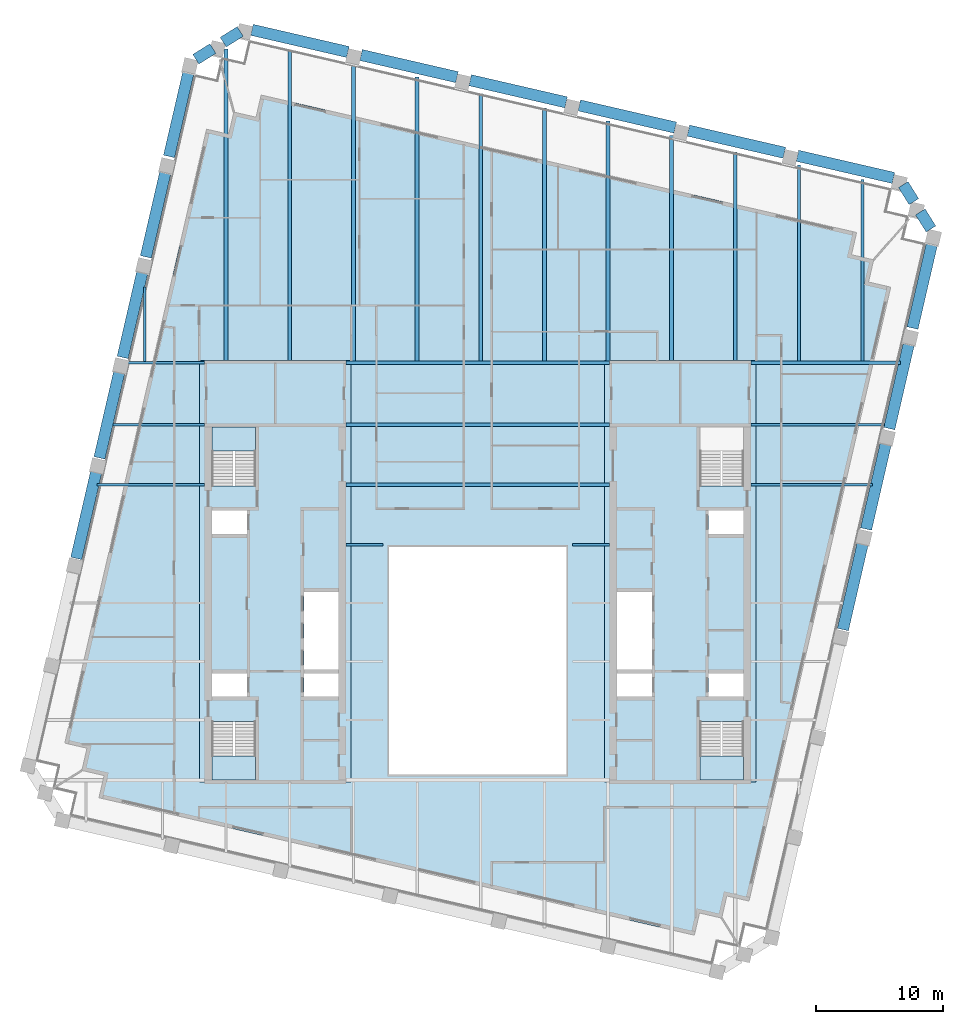
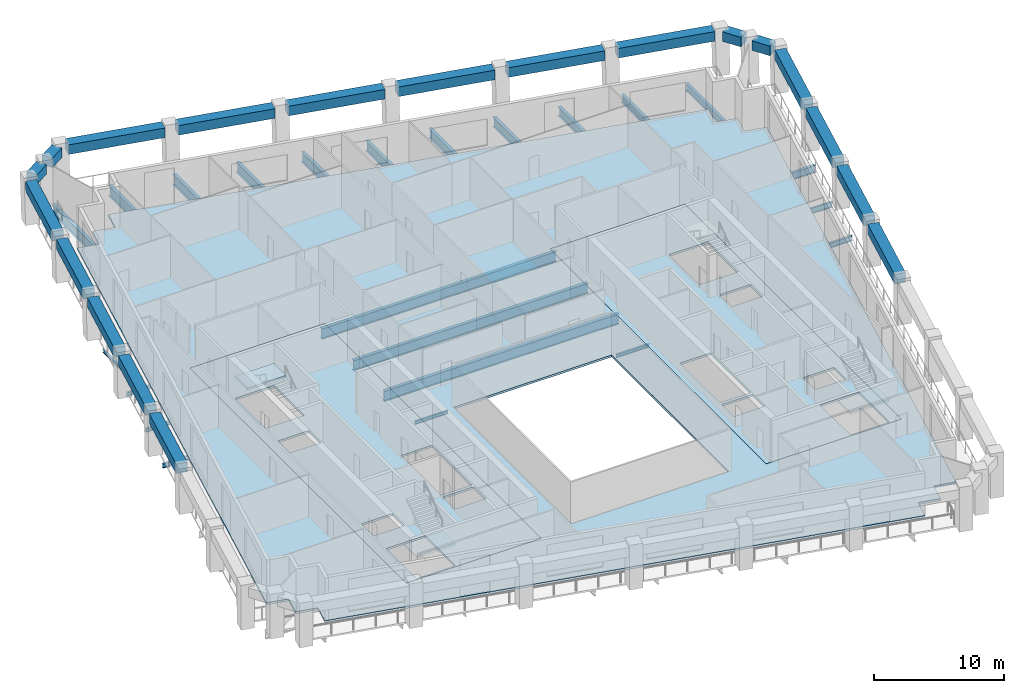
# One storey, part 2 of 11: 42 beams, 6 slabs, 3 elements without a shape of their own.
"""IFC4 building model written with IfcOpenShell, lengths in metres."""

import ifcopenshell
import ifcopenshell.guid

model = None  # the IFC model being written
_history = None  # IfcOwnerHistory: only IFC2X3 demands one
_inside = {}  # id of a spatial element -> (the spatial element, [elements in it])
_under = {}  # id of a project, library or spatial element -> (it, [spatial elements below it])
_declared = {}  # id of a project -> (the project, [libraries it declares])
_typed = {}  # id of a type object -> (the type object, [elements of that type])
_made_of = {}  # id of a material, layer set ... -> (it, [elements and type objects made of it])


def new_model(schema):
    """Start an empty IFC model of exactly this schema.

    Asked for "IFC4X3", IfcOpenShell would pick the latest addendum, in which some entities
    have other attributes; the version numbers below select the first issue.
    IFC2X3 requires an IfcOwnerHistory on every rooted entity: one is made here for all.
    """
    global model, _history
    if schema == "IFC4X3":
        model = ifcopenshell.file(schema_version=(4, 3, 0, 0))
    else:
        model = ifcopenshell.file(schema=schema)
    _inside.clear()
    _under.clear()
    _declared.clear()
    _typed.clear()
    _made_of.clear()
    _history = None
    if model.schema == "IFC2X3":
        org = make("IfcOrganization", Name="unknown")
        user = make(
            "IfcPersonAndOrganization",
            ThePerson=make("IfcPerson", FamilyName="unknown"),
            TheOrganization=org,
        )
        app = make(
            "IfcApplication",
            ApplicationDeveloper=org,
            Version="unknown",
            ApplicationFullName="unknown",
            ApplicationIdentifier="unknown",
        )
        _history = make(
            "IfcOwnerHistory",
            OwningUser=user,
            OwningApplication=app,
            ChangeAction="ADDED",
            CreationDate=0,
        )
    return model


def make(cls, **values):
    """One entity of the class cls with the attributes given. An attribute that is None is left unset."""
    return model.create_entity(
        cls, **{name: value for name, value in values.items() if value is not None}
    )


def rooted(cls, **values):
    """An entity with a GlobalId (a new one), such as an element, a storey or a relation."""
    return make(cls, GlobalId=ifcopenshell.guid.new(), OwnerHistory=_history, **values)


def si_unit(unit_type, name, prefix=None):
    """IfcSIUnit, for example si_unit("LENGTHUNIT", "METRE", prefix="MILLI")."""
    return make("IfcSIUnit", UnitType=unit_type, Prefix=prefix, Name=name)


def assignment(units):
    """IfcUnitAssignment: the units of a project."""
    return None if units is None else make("IfcUnitAssignment", Units=units)


def point(xyz):
    """IfcCartesianPoint."""
    return None if xyz is None else make("IfcCartesianPoint", Coordinates=xyz)


def direction(xyz):
    """IfcDirection."""
    return None if xyz is None else make("IfcDirection", DirectionRatios=xyz)


def frame(location, z_axis=None, x_axis=None):
    """IfcAxis2Placement3D, a coordinate frame: its origin and axes. An axis left out is left unset."""
    return make(
        "IfcAxis2Placement3D",
        Location=point(location),
        Axis=direction(z_axis),
        RefDirection=direction(x_axis),
    )


def frame_2d(location, x_axis=None):
    """IfcAxis2Placement2D, a coordinate frame in the plane: its origin and x axis."""
    return make(
        "IfcAxis2Placement2D", Location=point(location), RefDirection=direction(x_axis)
    )


def origin():
    """The frame at (0, 0, 0) with its axes left unset."""
    return frame((0.0, 0.0, 0.0))


def origin_2d():
    """The frame at (0, 0) in the plane with its x axis left unset."""
    return frame_2d((0.0, 0.0))


def place(relative_to, where):
    """IfcLocalPlacement: puts the frame where relative to a parent placement (None: the world)."""
    return make(
        "IfcLocalPlacement", PlacementRelTo=relative_to, RelativePlacement=where
    )


def context(
    kind, dimensions, precision=None, world=None, true_north=None, identifier=None
):
    """IfcGeometricRepresentationContext, for example the 3D "Model" context."""
    return make(
        "IfcGeometricRepresentationContext",
        ContextIdentifier=identifier,
        ContextType=kind,
        CoordinateSpaceDimension=dimensions,
        Precision=precision,
        WorldCoordinateSystem=world,
        TrueNorth=true_north,
    )


def subcontext(parent, identifier, kind, view, scale=None):
    """IfcGeometricRepresentationSubContext, for example "Body" below "Model"."""
    return make(
        "IfcGeometricRepresentationSubContext",
        ContextIdentifier=identifier,
        ContextType=kind,
        ParentContext=parent,
        TargetScale=scale,
        TargetView=view,
    )


def project(units=None, contexts=None):
    """IfcProject with its units and contexts."""
    return rooted(
        "IfcProject",
        Name="project",
        RepresentationContexts=contexts,
        UnitsInContext=assignment(units),
    )


def spatial(cls, under=None, at=None, **own):
    """A site, building, storey or space (cls), placed at a placement, below another one or the project."""
    s = rooted(cls, ObjectPlacement=at, **own)
    if under is not None:
        _under.setdefault(under.id(), (under, []))[1].append(s)
    return s


def polyline(points):
    """IfcPolyline through the points."""
    return make("IfcPolyline", Points=[point(p) for p in points])


def profile(cls, at=None, kind="AREA", **sizes):
    """A parametric profile (cls). Its sizes go by their IFC names, for example OverallWidth=200.0."""
    return make(cls, ProfileType=kind, Position=at, **sizes)


def rectangle(**sizes):
    """IfcRectangleProfileDef."""
    return profile("IfcRectangleProfileDef", **sizes)


def i_section(**sizes):
    """IfcIShapeProfileDef."""
    return profile("IfcIShapeProfileDef", **sizes)


def outline(outer, holes=None, kind="AREA"):
    """IfcArbitraryClosedProfileDef: a profile drawn as a closed curve; with holes, ...WithVoids."""
    if holes is None:
        return make("IfcArbitraryClosedProfileDef", ProfileType=kind, OuterCurve=outer)
    return make(
        "IfcArbitraryProfileDefWithVoids",
        ProfileType=kind,
        OuterCurve=outer,
        InnerCurves=holes,
    )


def extrude(swept, where, along, depth):
    """IfcExtrudedAreaSolid: the profile swept, set in the frame where, extruded along a direction by depth."""
    return make(
        "IfcExtrudedAreaSolid",
        SweptArea=swept,
        Position=where,
        ExtrudedDirection=direction(along),
        Depth=depth,
    )


def shape(context_of_items, identifier, shape_type, items):
    """IfcShapeRepresentation: the items that make up one representation, for example the "Body"."""
    return make(
        "IfcShapeRepresentation",
        ContextOfItems=context_of_items,
        RepresentationIdentifier=identifier,
        RepresentationType=shape_type,
        Items=items,
    )


def material(Name=None, Category=None):
    """IfcMaterial."""
    return make("IfcMaterial", Name=Name, Category=Category)


def layer(
    of_material, thickness, ventilated=None, Name=None, Category=None, Priority=None
):
    """IfcMaterialLayer: one layer of a wall or slab, of a material (None: an air gap)."""
    return make(
        "IfcMaterialLayer",
        Material=of_material,
        LayerThickness=thickness,
        IsVentilated=ventilated,
        Name=Name,
        Category=Category,
        Priority=Priority,
    )


def layer_set(layers, Name=None):
    """IfcMaterialLayerSet."""
    return make("IfcMaterialLayerSet", MaterialLayers=layers, LayerSetName=Name)


def material_profile(
    of_material, cross_section, Name=None, Category=None, Priority=None
):
    """IfcMaterialProfile: a cross section and its material."""
    return make(
        "IfcMaterialProfile",
        Name=Name,
        Material=of_material,
        Profile=cross_section,
        Priority=Priority,
        Category=Category,
    )


def profile_set(profiles, Name=None, composite=None):
    """IfcMaterialProfileSet."""
    return make(
        "IfcMaterialProfileSet",
        Name=Name,
        MaterialProfiles=profiles,
        CompositeProfile=composite,
    )


def made_of(thing, what):
    """Note that an element or type object is made of a material, layer set ...; save() writes the relation."""
    if what is not None:
        _made_of.setdefault(what.id(), (what, []))[1].append(thing)
    return thing


def type_object(cls, material=None, **own):
    """A type object (cls), such as IfcWallType, which elements share."""
    return made_of(rooted(cls, **own), material)


def element(
    cls,
    number,
    at=None,
    inside=None,
    cuts=None,
    type_object=None,
    material=None,
    context=None,
    identifier="Body",
    shape_type=None,
    held_by="IfcProductDefinitionShape",
    body=None,
    shapes=None,
    **own,
):
    """One element of the class cls, such as IfcWall. Its Tag is "e" and its number.

    at: its placement. inside: the storey or other place that contains it. cuts: it is an
    opening in that element (IfcRelVoidsElement). A single representation is given by context,
    identifier, shape_type and body (its items); several are given by shapes. held_by: the class
    of the entity that holds the representations. save() writes the other relations.
    """
    e = rooted(cls, Tag="e%d" % number, ObjectPlacement=at, **own)
    if body is not None:
        shapes = [shape(context, identifier, shape_type, body)]
    if shapes is not None:
        e.Representation = make(held_by, Representations=shapes)
    if inside is not None:
        _inside.setdefault(inside.id(), (inside, []))[1].append(e)
    if cuts is not None:
        rooted(
            "IfcRelVoidsElement", RelatingBuildingElement=cuts, RelatedOpeningElement=e
        )
    if type_object is not None:
        _typed.setdefault(type_object.id(), (type_object, []))[1].append(e)
    return made_of(e, material)


def aggregate(whole, parts):
    """IfcRelAggregates: a whole, such as a stair, and the parts it consists of."""
    return rooted("IfcRelAggregates", RelatingObject=whole, RelatedObjects=parts)


def save(model, path):
    """Write the relations noted so far, then the file.

    IfcRelAggregates (storeys below a building ...), IfcRelContainedInSpatialStructure (elements
    in a storey), IfcRelDefinesByType, IfcRelAssociatesMaterial and IfcRelDeclares: one each for
    every whole, place, type object, material and project.
    """
    for whole, parts in _under.values():
        aggregate(whole, parts)
    for where, things in _inside.values():
        rooted(
            "IfcRelContainedInSpatialStructure",
            RelatedElements=things,
            RelatingStructure=where,
        )
    for kind, things in _typed.values():
        rooted("IfcRelDefinesByType", RelatedObjects=things, RelatingType=kind)
    for what, things in _made_of.values():
        rooted("IfcRelAssociatesMaterial", RelatedObjects=things, RelatingMaterial=what)
    for by, libraries in _declared.values():
        rooted("IfcRelDeclares", RelatingContext=by, RelatedDefinitions=libraries)
    model.write(path)


model = new_model("IFC4")

# Units and contexts
model_context = context("Model", 3, precision=1e-05, world=origin(), true_north=direction((0.0, 1.0)))
body_context = subcontext(model_context, "Body", "Model", "MODEL_VIEW")
ifc_project = project(units=[si_unit("LENGTHUNIT", "METRE"), si_unit("AREAUNIT", "SQUARE_METRE"), si_unit("VOLUMEUNIT", "CUBIC_METRE"), si_unit("PLANEANGLEUNIT", "RADIAN"), si_unit("MASSUNIT", "GRAM", prefix="KILO")], contexts=[model_context])

# Site, building, storey
site_placement = place(None, origin())
site = spatial("IfcSite", under=ifc_project, at=site_placement, CompositionType="ELEMENT")
building_placement = place(site_placement, origin())
building = spatial("IfcBuilding", under=site, at=building_placement, Name="Ogive Exchange Tower", CompositionType="ELEMENT")
storey_placement = place(building_placement, frame((0.0, 0.0, 259.800048828125)))
storey = spatial("IfcBuildingStorey", under=building, at=storey_placement, Name="L56", CompositionType="ELEMENT", Elevation=259.800048828125)

# Beams
ifc_material_1 = material(Name="Steel ASTM A992 Gr50", Category="steel")
ifc_material_profile_1 = material_profile(ifc_material_1, i_section(OverallWidth=0.300048828125, OverallDepth=0.969970703125, WebThickness=0.01611328125, FlangeThickness=0.02099609375, at=origin_2d()), Name="W1000x222")
ifc_profile_set_1 = profile_set([ifc_material_profile_1], Name="Steel ASTM A992 Gr50")
beam_type_1 = type_object("IfcBeamType", Name="Floor beam W1000x222", PredefinedType="JOIST", material=ifc_profile_set_1)
beam_1_placement = place(storey_placement, frame((5.263427734375, 30.695068359375, -0.68505859375), z_axis=(0.0, 1.0, 0.0), x_axis=(-1.0, 0.0, 0.0)))
element("IfcBeam", 1, at=beam_1_placement, inside=storey, type_object=beam_type_1, Name="Floor beam", PredefinedType="JOIST", context=body_context, shape_type="SweptSolid", body=[
    extrude(i_section(OverallWidth=0.300048828125, OverallDepth=0.969970703125, WebThickness=0.01611328125, FlangeThickness=0.02099609375, at=origin_2d()), origin(), (0.0, 0.0, 1.0), 19.968017578125),
])
ifc_material_profile_2 = material_profile(ifc_material_1, i_section(OverallWidth=0.300048828125, OverallDepth=0.97998046875, WebThickness=0.0166015625, FlangeThickness=0.026123046875, at=origin_2d()), Name="W1000x249")
ifc_profile_set_2 = profile_set([ifc_material_profile_2], Name="Steel ASTM A992 Gr50")
beam_type_2 = type_object("IfcBeamType", Name="Floor beam W1000x249", PredefinedType="JOIST", material=ifc_profile_set_2)
for number, where, z_axis, x_axis, name in (
    (2, (-10.419921875, 20.89990234375, -0.68994140625), (1.0, 0.0, 0.0), (0.0, 1.0, 0.0), "Floor beam"),
    (3, (-10.419921875, 25.64501953125, -0.68994140625), (1.0, 0.0, 0.0), (0.0, 1.0, 0.0), "Floor beam"),
):
    element("IfcBeam", number, at=place(storey_placement, frame(where, z_axis=z_axis, x_axis=x_axis)), inside=storey, type_object=beam_type_2, Name=name, PredefinedType="JOIST", context=body_context, shape_type="SweptSolid", body=[
        extrude(i_section(OverallWidth=0.300048828125, OverallDepth=0.97998046875, WebThickness=0.0166015625, FlangeThickness=0.026123046875, at=origin_2d()), origin(), (0.0, 0.0, 1.0), 20.83984375),
    ])
beam_2_placement = place(storey_placement, frame((-19.887939453125, 30.699951171875, -0.68994140625), z_axis=(0.0, 1.0, 0.0), x_axis=(-1.0, 0.0, 0.0)))
element("IfcBeam", 4, at=beam_2_placement, inside=storey, type_object=beam_type_2, Name="Floor beam", PredefinedType="JOIST", context=body_context, shape_type="SweptSolid", body=[
    extrude(i_section(OverallWidth=0.300048828125, OverallDepth=0.97998046875, WebThickness=0.0166015625, FlangeThickness=0.026123046875, at=origin_2d()), origin(), (0.0, 0.0, 1.0), 24.62255859375),
])
beam_3_placement = place(storey_placement, frame((-14.857666015625, 30.699951171875, -0.68994140625), z_axis=(0.0, 1.0, 0.0), x_axis=(-1.0, 0.0, 0.0)))
element("IfcBeam", 5, at=beam_3_placement, inside=storey, type_object=beam_type_2, Name="Floor beam", PredefinedType="JOIST", context=body_context, shape_type="SweptSolid", body=[
    extrude(i_section(OverallWidth=0.300048828125, OverallDepth=0.97998046875, WebThickness=0.0166015625, FlangeThickness=0.026123046875, at=origin_2d()), origin(), (0.0, 0.0, 1.0), 24.6083984375),
])
beam_4_placement = place(storey_placement, frame((-9.827392578125, 30.695068359375, -0.68994140625), z_axis=(0.0, 1.0, 0.0), x_axis=(-1.0, 0.0, 0.0)))
element("IfcBeam", 6, at=beam_4_placement, inside=storey, type_object=beam_type_2, Name="Floor beam", PredefinedType="JOIST", context=body_context, shape_type="SweptSolid", body=[
    extrude(i_section(OverallWidth=0.300048828125, OverallDepth=0.97998046875, WebThickness=0.0166015625, FlangeThickness=0.026123046875, at=origin_2d()), origin(), (0.0, 0.0, 1.0), 23.451904296875),
])
beam_5_placement = place(storey_placement, frame((-4.797119140625, 30.695068359375, -0.68994140625), z_axis=(0.0, 1.0, 0.0), x_axis=(-1.0, 0.0, 0.0)))
element("IfcBeam", 7, at=beam_5_placement, inside=storey, type_object=beam_type_2, Name="Floor beam", PredefinedType="JOIST", context=body_context, shape_type="SweptSolid", body=[
    extrude(i_section(OverallWidth=0.300048828125, OverallDepth=0.97998046875, WebThickness=0.0166015625, FlangeThickness=0.026123046875, at=origin_2d()), origin(), (0.0, 0.0, 1.0), 22.440673828125),
])
beam_6_placement = place(storey_placement, frame((0.233154296875, 30.695068359375, -0.68994140625), z_axis=(0.0, 1.0, 0.0), x_axis=(-1.0, 0.0, 0.0)))
element("IfcBeam", 8, at=beam_6_placement, inside=storey, type_object=beam_type_2, Name="Floor beam", PredefinedType="JOIST", context=body_context, shape_type="SweptSolid", body=[
    extrude(i_section(OverallWidth=0.300048828125, OverallDepth=0.97998046875, WebThickness=0.0166015625, FlangeThickness=0.026123046875, at=origin_2d()), origin(), (0.0, 0.0, 1.0), 21.12939453125),
])
ifc_material_profile_3 = material_profile(ifc_material_1, i_section(OverallWidth=0.1650390625, OverallDepth=0.31005859375, WebThickness=0.005859375, FlangeThickness=0.009765625, at=origin_2d()), Name="W310x38.7")
ifc_profile_set_3 = profile_set([ifc_material_profile_3], Name="Steel ASTM A992 Gr50")
beam_type_3 = type_object("IfcBeamType", Name="Floor beam W310x38.7", PredefinedType="JOIST", material=ifc_profile_set_3)
beam_7_placement = place(storey_placement, frame((-26.318115234375, 30.630615234375, -0.35498046875), z_axis=(0.0, 1.0, 0.0), x_axis=(-1.0, 0.0, 0.0)))
element("IfcBeam", 9, at=beam_7_placement, inside=storey, type_object=beam_type_3, Name="Floor beam", PredefinedType="JOIST", context=body_context, shape_type="SweptSolid", body=[
    extrude(i_section(OverallWidth=0.1650390625, OverallDepth=0.31005859375, WebThickness=0.005859375, FlangeThickness=0.009765625, at=origin_2d()), origin(), (0.0, 0.0, 1.0), 5.9013671875),
])
ifc_material_profile_4 = material_profile(ifc_material_1, i_section(OverallWidth=0.1708984375, OverallDepth=0.35595703125, WebThickness=0.00732421875, FlangeThickness=0.01171875, at=origin_2d()), Name="W360x51")
ifc_profile_set_4 = profile_set([ifc_material_profile_4], Name="Steel ASTM A992 Gr50")
beam_type_4 = type_object("IfcBeamType", Name="Floor beam W360x51", PredefinedType="JOIST", material=ifc_profile_set_4)
beam_8_placement = place(storey_placement, frame((-28.831787109375, 25.64501953125, -0.3779296875), z_axis=(1.0, 0.0, 0.0), x_axis=(0.0, 1.0, 0.0)))
element("IfcBeam", 10, at=beam_8_placement, inside=storey, type_object=beam_type_4, Name="Floor beam", PredefinedType="JOIST", context=body_context, shape_type="SweptSolid", body=[
    extrude(i_section(OverallWidth=0.1708984375, OverallDepth=0.35595703125, WebThickness=0.00732421875, FlangeThickness=0.01171875, at=origin_2d()), origin(), (0.0, 0.0, 1.0), 7.251708984375),
])
ifc_material_profile_5 = material_profile(ifc_material_1, i_section(OverallWidth=0.177978515625, OverallDepth=0.406005859375, WebThickness=0.0078125, FlangeThickness=0.0126953125, at=origin_2d()), Name="W410x60")
ifc_profile_set_5 = profile_set([ifc_material_profile_5], Name="Steel ASTM A992 Gr50")
beam_type_5 = type_object("IfcBeamType", Name="Floor beam W410x60", PredefinedType="JOIST", material=ifc_profile_set_5)
beam_9_placement = place(storey_placement, frame((-30.0771484375, 20.89990234375, -0.403076171875), z_axis=(1.0, 0.0, 0.0), x_axis=(0.0, 1.0, 0.0)))
element("IfcBeam", 11, at=beam_9_placement, inside=storey, type_object=beam_type_5, Name="Floor beam", PredefinedType="JOIST", context=body_context, shape_type="SweptSolid", body=[
    extrude(i_section(OverallWidth=0.177978515625, OverallDepth=0.406005859375, WebThickness=0.0078125, FlangeThickness=0.0126953125, at=origin_2d()), origin(), (0.0, 0.0, 1.0), 8.4970703125),
])
ifc_material_profile_6 = material_profile(ifc_material_1, i_section(OverallWidth=0.19189453125, OverallDepth=0.4619140625, WebThickness=0.010498046875, FlangeThickness=0.017578125, at=origin_2d()), Name="W460x89")
ifc_profile_set_6 = profile_set([ifc_material_profile_6], Name="Steel ASTM A992 Gr50")
beam_type_6 = type_object("IfcBeamType", Name="Floor beam W460x89", PredefinedType="JOIST", material=ifc_profile_set_6)
beam_10_placement = place(storey_placement, frame((21.580078125, 20.89990234375, -0.43115234375), z_axis=(1.0, 0.0, 0.0), x_axis=(0.0, 1.0, 0.0)))
element("IfcBeam", 12, at=beam_10_placement, inside=storey, type_object=beam_type_6, Name="Floor beam", PredefinedType="JOIST", context=body_context, shape_type="SweptSolid", body=[
    extrude(i_section(OverallWidth=0.19189453125, OverallDepth=0.4619140625, WebThickness=0.010498046875, FlangeThickness=0.017578125, at=origin_2d()), origin(), (0.0, 0.0, 1.0), 9.605224609375),
])
ifc_material_profile_7 = material_profile(ifc_material_1, i_section(OverallWidth=0.1669921875, OverallDepth=0.535888671875, WebThickness=0.01025390625, FlangeThickness=0.0166015625, at=origin_2d()), Name="W530x85")
ifc_profile_set_7 = profile_set([ifc_material_profile_7], Name="Steel ASTM A992 Gr50")
beam_type_7 = type_object("IfcBeamType", Name="Floor beam W530x85", PredefinedType="JOIST", material=ifc_profile_set_7)
beam_11_placement = place(storey_placement, frame((21.580078125, 25.64501953125, -0.468017578125), z_axis=(1.0, 0.0, 0.0), x_axis=(0.0, 1.0, 0.0)))
element("IfcBeam", 13, at=beam_11_placement, inside=storey, type_object=beam_type_7, Name="Floor beam", PredefinedType="JOIST", context=body_context, shape_type="SweptSolid", body=[
    extrude(i_section(OverallWidth=0.1669921875, OverallDepth=0.535888671875, WebThickness=0.01025390625, FlangeThickness=0.0166015625, at=origin_2d()), origin(), (0.0, 0.0, 1.0), 10.55078125),
])
ifc_material_profile_8 = material_profile(ifc_material_1, i_section(OverallWidth=0.25390625, OverallDepth=0.68310546875, WebThickness=0.012451171875, FlangeThickness=0.018798828125, at=origin_2d()), Name="W690x140")
ifc_profile_set_8 = profile_set([ifc_material_profile_8], Name="Steel ASTM A992 Gr50")
beam_type_8 = type_object("IfcBeamType", Name="Floor beam W690x140", PredefinedType="JOIST", material=ifc_profile_set_8)
beam_12_placement = place(storey_placement, frame((30.414794921875, 30.672119140625, -0.54150390625), z_axis=(0.0, 1.0, 0.0), x_axis=(-1.0, 0.0, 0.0)))
element("IfcBeam", 14, at=beam_12_placement, inside=storey, type_object=beam_type_8, Name="Floor beam", PredefinedType="JOIST", context=body_context, shape_type="SweptSolid", body=[
    extrude(i_section(OverallWidth=0.25390625, OverallDepth=0.68310546875, WebThickness=0.012451171875, FlangeThickness=0.018798828125, at=origin_2d()), origin(), (0.0, 0.0, 1.0), 14.334228515625),
])
ifc_material_profile_9 = material_profile(ifc_material_1, i_section(OverallWidth=0.26708984375, OverallDepth=0.75390625, WebThickness=0.01318359375, FlangeThickness=0.01708984375, at=origin_2d()), Name="W760x147")
ifc_profile_set_9 = profile_set([ifc_material_profile_9], Name="Steel ASTM A992 Gr50")
beam_type_9 = type_object("IfcBeamType", Name="Floor beam W760x147", PredefinedType="JOIST", material=ifc_profile_set_9)
beam_13_placement = place(storey_placement, frame((25.384521484375, 30.672119140625, -0.5771484375), z_axis=(0.0, 1.0, 0.0), x_axis=(-1.0, 0.0, 0.0)))
element("IfcBeam", 15, at=beam_13_placement, inside=storey, type_object=beam_type_9, Name="Floor beam", PredefinedType="JOIST", context=body_context, shape_type="SweptSolid", body=[
    extrude(i_section(OverallWidth=0.26708984375, OverallDepth=0.75390625, WebThickness=0.01318359375, FlangeThickness=0.01708984375, at=origin_2d()), origin(), (0.0, 0.0, 1.0), 15.49560546875),
])
ifc_material_profile_10 = material_profile(ifc_material_1, i_section(OverallWidth=0.2919921875, OverallDepth=0.8359375, WebThickness=0.013916015625, FlangeThickness=0.018798828125, at=origin_2d()), Name="W840x176")
ifc_profile_set_10 = profile_set([ifc_material_profile_10], Name="Steel ASTM A992 Gr50")
beam_type_10 = type_object("IfcBeamType", Name="Floor beam W840x176", PredefinedType="JOIST", material=ifc_profile_set_10)
beam_14_placement = place(storey_placement, frame((20.354248046875, 30.699951171875, -0.6181640625), z_axis=(0.0, 1.0, 0.0), x_axis=(-1.0, 0.0, 0.0)))
element("IfcBeam", 16, at=beam_14_placement, inside=storey, type_object=beam_type_10, Name="Floor beam", PredefinedType="JOIST", context=body_context, shape_type="SweptSolid", body=[
    extrude(i_section(OverallWidth=0.2919921875, OverallDepth=0.8359375, WebThickness=0.013916015625, FlangeThickness=0.018798828125, at=origin_2d()), origin(), (0.0, 0.0, 1.0), 16.479248046875),
])
ifc_material_profile_11 = material_profile(ifc_material_1, i_section(OverallWidth=0.304931640625, OverallDepth=0.904052734375, WebThickness=0.01513671875, FlangeThickness=0.02001953125, at=origin_2d()), Name="W920x201")
ifc_profile_set_11 = profile_set([ifc_material_profile_11], Name="Steel ASTM A992 Gr50")
beam_type_11 = type_object("IfcBeamType", Name="Floor beam W920x201", PredefinedType="JOIST", material=ifc_profile_set_11)
beam_15_placement = place(storey_placement, frame((10.293701171875, 30.695068359375, -0.652099609375), z_axis=(0.0, 1.0, 0.0), x_axis=(-1.0, 0.0, 0.0)))
element("IfcBeam", 17, at=beam_15_placement, inside=storey, type_object=beam_type_11, Name="Floor beam", PredefinedType="JOIST", context=body_context, shape_type="SweptSolid", body=[
    extrude(i_section(OverallWidth=0.304931640625, OverallDepth=0.904052734375, WebThickness=0.01513671875, FlangeThickness=0.02001953125, at=origin_2d()), origin(), (0.0, 0.0, 1.0), 18.95654296875),
])
beam_16_placement = place(storey_placement, frame((15.323974609375, 30.699951171875, -0.652099609375), z_axis=(0.0, 1.0, 0.0), x_axis=(-1.0, 0.0, 0.0)))
element("IfcBeam", 18, at=beam_16_placement, inside=storey, type_object=beam_type_11, Name="Floor beam", PredefinedType="JOIST", context=body_context, shape_type="SweptSolid", body=[
    extrude(i_section(OverallWidth=0.304931640625, OverallDepth=0.904052734375, WebThickness=0.01513671875, FlangeThickness=0.02001953125, at=origin_2d()), origin(), (0.0, 0.0, 1.0), 17.79052734375),
])
ifc_material_profile_12 = material_profile(ifc_material_1, i_section(OverallWidth=0.300048828125, OverallDepth=0.97998046875, WebThickness=0.0166015625, FlangeThickness=0.026123046875, at=origin_2d()), Name="W1000x249")
ifc_profile_set_12 = profile_set([ifc_material_profile_12], Name="Steel ASTM A992 Gr50")
beam_type_12 = type_object("IfcBeamType", Name="Girder W1000x249", PredefinedType="BEAM", material=ifc_profile_set_12)
beam_17_placement = place(storey_placement, frame((-10.419921875, 30.544921875, -0.68994140625), z_axis=(1.0, 0.0, 0.0), x_axis=(0.0, 1.0, 0.0)))
element("IfcBeam", 19, at=beam_17_placement, inside=storey, type_object=beam_type_12, Name="Header girder", PredefinedType="BEAM", context=body_context, shape_type="SweptSolid", body=[
    extrude(i_section(OverallWidth=0.300048828125, OverallDepth=0.97998046875, WebThickness=0.0166015625, FlangeThickness=0.026123046875, at=origin_2d()), origin(), (0.0, 0.0, 1.0), 20.83984375),
])
ifc_material_profile_13 = material_profile(ifc_material_1, i_section(OverallWidth=0.1650390625, OverallDepth=0.31005859375, WebThickness=0.005859375, FlangeThickness=0.009765625, at=origin_2d()), Name="W310x38.7")
ifc_profile_set_13 = profile_set([ifc_material_profile_13], Name="Steel ASTM A992 Gr50")
beam_type_13 = type_object("IfcBeamType", Name="Girder W310x38.7", PredefinedType="BEAM", material=ifc_profile_set_13)
for number, where, z_axis, x_axis, name in (
    (20, (-10.419921875, 16.155029296875, -0.35498046875), (1.0, 0.0, 0.0), (0.0, 1.0, 0.0), "Trimmer girder"),
    (21, (7.469970703125, 16.155029296875, -0.35498046875), (1.0, 0.0, 0.0), (0.0, 1.0, 0.0), "Trimmer girder"),
):
    element("IfcBeam", number, at=place(storey_placement, frame(where, z_axis=z_axis, x_axis=x_axis)), inside=storey, type_object=beam_type_13, Name=name, PredefinedType="BEAM", context=body_context, shape_type="SweptSolid", body=[
        extrude(i_section(OverallWidth=0.1650390625, OverallDepth=0.31005859375, WebThickness=0.005859375, FlangeThickness=0.009765625, at=origin_2d()), origin(), (0.0, 0.0, 1.0), 2.949951171875),
    ])
ifc_material_profile_14 = material_profile(ifc_material_1, i_section(OverallWidth=0.1708984375, OverallDepth=0.35595703125, WebThickness=0.00732421875, FlangeThickness=0.01171875, at=origin_2d()), Name="W360x51")
ifc_profile_set_14 = profile_set([ifc_material_profile_14], Name="Steel ASTM A992 Gr50")
beam_type_14 = type_object("IfcBeamType", Name="Girder W360x51", PredefinedType="BEAM", material=ifc_profile_set_14)
beam_18_placement = place(storey_placement, frame((-27.700439453125, 30.544921875, -0.3779296875), z_axis=(1.0, 0.0, 0.0), x_axis=(0.0, 1.0, 0.0)))
element("IfcBeam", 22, at=beam_18_placement, inside=storey, type_object=beam_type_14, Name="Header girder", PredefinedType="BEAM", context=body_context, shape_type="SweptSolid", body=[
    extrude(i_section(OverallWidth=0.1708984375, OverallDepth=0.35595703125, WebThickness=0.00732421875, FlangeThickness=0.01171875, at=origin_2d()), origin(), (0.0, 0.0, 1.0), 6.120361328125),
])
ifc_material_profile_15 = material_profile(ifc_material_1, i_section(OverallWidth=0.25390625, OverallDepth=0.677978515625, WebThickness=0.01171875, FlangeThickness=0.016357421875, at=origin_2d()), Name="W690x125")
ifc_profile_set_15 = profile_set([ifc_material_profile_15], Name="Steel ASTM A992 Gr50")
beam_type_15 = type_object("IfcBeamType", Name="Girder W690x125", PredefinedType="BEAM", material=ifc_profile_set_15)
beam_19_placement = place(storey_placement, frame((21.580078125, 30.544921875, -0.5390625), z_axis=(1.0, 0.0, 0.0), x_axis=(0.0, 1.0, 0.0)))
element("IfcBeam", 23, at=beam_19_placement, inside=storey, type_object=beam_type_15, Name="Header girder", PredefinedType="BEAM", context=body_context, shape_type="SweptSolid", body=[
    extrude(i_section(OverallWidth=0.25390625, OverallDepth=0.677978515625, WebThickness=0.01171875, FlangeThickness=0.016357421875, at=origin_2d()), origin(), (0.0, 0.0, 1.0), 11.83203125),
])
ifc_material_2 = material(Name="Precast concrete C70/85 (limestone faced)", Category="masonry")
ifc_material_profile_16 = material_profile(ifc_material_2, rectangle(XDim=0.89990234375, YDim=0.89990234375, at=origin_2d()), Name="900 x 900")
ifc_profile_set_16 = profile_set([ifc_material_profile_16], Name="Precast concrete C70/85 (limestone faced)")
beam_type_16 = type_object("IfcBeamType", Name="Precast spandrel 900 x 900 C70/85", PredefinedType="SPANDREL", material=ifc_profile_set_16)
for number, where, z_axis, x_axis, name in (
    (24, (28.855712890625, 9.458984375, 3.5), (0.224972663501, 0.974365075666, 0.0), (-0.974365075666, 0.224972663501, 0.0), "Spandrel 12"),
    (25, (30.689208984375, 17.40087890625, 3.5), (0.224972663501, 0.974365075666, 0.0), (-0.974365075666, 0.224972663501, 0.0), "Spandrel 13"),
    (26, (32.522705078125, 25.342529296875, 3.5), (0.224972663501, 0.974365075666, 0.0), (-0.974365075666, 0.224972663501, 0.0), "Spandrel 14"),
    (27, (34.356201171875, 33.2841796875, 3.5), (0.224972663501, 0.974365075666, 0.0), (-0.974365075666, 0.224972663501, 0.0), "Spandrel 15"),
):
    element("IfcBeam", number, at=place(storey_placement, frame(where, z_axis=z_axis, x_axis=x_axis)), inside=storey, type_object=beam_type_16, Name=name, PredefinedType="SPANDREL", context=body_context, shape_type="SweptSolid", body=[
        extrude(rectangle(XDim=0.89990234375, YDim=0.89990234375, at=origin_2d()), origin(), (0.0, 0.0, 1.0), 7.0908203125),
    ])
beam_20_placement = place(storey_placement, frame((35.8173828125, 41.114990234375, 3.5), z_axis=(-0.529971331567, 0.848015558653, 0.0), x_axis=(-0.848015558653, -0.529971331567, 0.0)))
element("IfcBeam", 28, at=beam_20_placement, inside=storey, type_object=beam_type_16, Name="Spandrel 16", PredefinedType="SPANDREL", context=body_context, shape_type="SweptSolid", body=[
    extrude(rectangle(XDim=0.89990234375, YDim=0.89990234375, at=origin_2d()), origin(), (0.0, 0.0, 1.0), 1.58984375),
])
beam_21_placement = place(storey_placement, frame((34.468505859375, 43.273681640625, 3.5), z_axis=(-0.529902320601, 0.848058683477, 0.0), x_axis=(-0.848058683477, -0.529902320601, 0.0)))
element("IfcBeam", 29, at=beam_21_placement, inside=storey, type_object=beam_type_16, Name="Spandrel 17", PredefinedType="SPANDREL", context=body_context, shape_type="SweptSolid", body=[
    extrude(rectangle(XDim=0.89990234375, YDim=0.89990234375, at=origin_2d()), origin(), (0.0, 0.0, 1.0), 1.590087890625),
])
beam_22_placement = place(storey_placement, frame((32.856201171875, 45.146484375, 3.5), z_axis=(-0.974374818602, 0.224930462307, 0.0), x_axis=(-0.224930462307, -0.974374818602, 0.0)))
element("IfcBeam", 30, at=beam_22_placement, inside=storey, type_object=beam_type_16, Name="Spandrel 18", PredefinedType="SPANDREL", context=body_context, shape_type="SweptSolid", body=[
    extrude(rectangle(XDim=0.89990234375, YDim=0.89990234375, at=origin_2d()), origin(), (0.0, 0.0, 1.0), 7.7900390625),
])
beam_23_placement = place(storey_placement, frame((24.233154296875, 47.13720703125, 3.5), z_axis=(-0.974369535382, 0.224953347431, 0.0), x_axis=(-0.224953347431, -0.974369535382, 0.0)))
element("IfcBeam", 31, at=beam_23_placement, inside=storey, type_object=beam_type_16, Name="Spandrel 19", PredefinedType="SPANDREL", context=body_context, shape_type="SweptSolid", body=[
    extrude(rectangle(XDim=0.89990234375, YDim=0.89990234375, at=origin_2d()), origin(), (0.0, 0.0, 1.0), 7.790283203125),
])
for number, where, z_axis, x_axis, name in (
    (32, (15.60986328125, 49.128173828125, 3.5), (-0.974374818602, 0.224930462307, 0.0), (-0.224930462307, -0.974374818602, 0.0), "Spandrel 20"),
    (33, (6.98681640625, 51.118896484375, 3.5), (-0.974367949416, 0.224960216819, 0.0), (-0.224960216819, -0.974367949416, 0.0), "Spandrel 21"),
    (34, (-1.636474609375, 53.109619140625, 3.5), (-0.974367949416, 0.224960216819, 0.0), (-0.224960216819, -0.974367949416, 0.0), "Spandrel 22"),
):
    element("IfcBeam", number, at=place(storey_placement, frame(where, z_axis=z_axis, x_axis=x_axis)), inside=storey, type_object=beam_type_16, Name=name, PredefinedType="SPANDREL", context=body_context, shape_type="SweptSolid", body=[
        extrude(rectangle(XDim=0.89990234375, YDim=0.89990234375, at=origin_2d()), origin(), (0.0, 0.0, 1.0), 7.7900390625),
    ])
beam_24_placement = place(storey_placement, frame((-10.259521484375, 55.1005859375, 3.5), z_axis=(-0.97437640416, 0.22492359373, 0.0), x_axis=(-0.22492359373, -0.97437640416, 0.0)))
element("IfcBeam", 35, at=beam_24_placement, inside=storey, type_object=beam_type_16, Name="Spandrel 23", PredefinedType="SPANDREL", context=body_context, shape_type="SweptSolid", body=[
    extrude(rectangle(XDim=0.89990234375, YDim=0.89990234375, at=origin_2d()), origin(), (0.0, 0.0, 1.0), 7.790283203125),
])
for number, where, z_axis, x_axis, name in (
    (36, (-18.771484375, 56.718994140625, 3.5), (-0.848101791458, -0.529833324099, 0.0), (0.529833324099, -0.848101791458, 0.0), "Spandrel 24"),
    (37, (-20.930419921875, 55.3701171875, 3.5), (-0.84798967817, -0.53001274109, 0.0), (0.53001274109, -0.84798967817, 0.0), "Spandrel 25"),
):
    element("IfcBeam", number, at=place(storey_placement, frame(where, z_axis=z_axis, x_axis=x_axis)), inside=storey, type_object=beam_type_16, Name=name, PredefinedType="SPANDREL", context=body_context, shape_type="SweptSolid", body=[
        extrude(rectangle(XDim=0.89990234375, YDim=0.89990234375, at=origin_2d()), origin(), (0.0, 0.0, 1.0), 1.590087890625),
    ])
for number, where, z_axis, x_axis, name in (
    (38, (-22.80322265625, 53.7578125, 3.5), (-0.224939974693, -0.974372622658, 0.0), (0.974372622658, -0.224939974693, 0.0), "Spandrel 26"),
    (39, (-24.63671875, 45.81591796875, 3.5), (-0.224939974693, -0.974372622658, 0.0), (0.974372622658, -0.224939974693, 0.0), "Spandrel 27"),
    (40, (-26.47021484375, 37.874267578125, 3.5), (-0.224939974693, -0.974372622658, 0.0), (0.974372622658, -0.224939974693, 0.0), "Spandrel 28"),
    (41, (-28.3037109375, 29.9326171875, 3.5), (-0.224939974693, -0.974372622658, 0.0), (0.974372622658, -0.224939974693, 0.0), "Spandrel 29"),
    (42, (-30.13720703125, 21.99072265625, 3.5), (-0.224939974693, -0.974372622658, 0.0), (0.974372622658, -0.224939974693, 0.0), "Spandrel 30"),
):
    element("IfcBeam", number, at=place(storey_placement, frame(where, z_axis=z_axis, x_axis=x_axis)), inside=storey, type_object=beam_type_16, Name=name, PredefinedType="SPANDREL", context=body_context, shape_type="SweptSolid", body=[
        extrude(rectangle(XDim=0.89990234375, YDim=0.89990234375, at=origin_2d()), origin(), (0.0, 0.0, 1.0), 7.090576171875),
    ])

# Slabs
ifc_material_3 = material(Name="Concrete C50/60", Category="concrete")
ifc_layer_1 = layer(ifc_material_3, 0.199951171875)
ifc_layer_set_1 = layer_set([ifc_layer_1], Name="Composite floor slab 200")
slab_type_1 = type_object("IfcSlabType", Name="Composite floor slab 200", PredefinedType="FLOOR", material=ifc_layer_set_1)
slab_1_placement = place(storey_placement, frame((0.0, 0.0, -0.199951171875)))
element("IfcSlab", 43, at=slab_1_placement, inside=storey, type_object=slab_type_1, Name="Composite floor slab", PredefinedType="FLOOR", context=body_context, shape_type="SweptSolid", body=[
    extrude(outline(polyline([(-29.537109375, -2.0830078125), (-31.291015625, -1.67822265625), (-30.88623046875, 0.07568359375), (-32.64013671875, 0.480712890625), (-21.4375, 49.004150390625), (-19.68359375, 48.599365234375), (-19.27880859375, 50.353271484375), (-17.52490234375, 49.9482421875), (-17.119873046875, 51.7021484375), (29.942138671875, 40.8369140625), (29.537109375, 39.0830078125), (31.291015625, 38.67822265625), (30.88623046875, 36.92431640625), (32.64013671875, 36.519287109375), (21.4375, -12.004150390625), (19.68359375, -11.599365234375), (19.27880859375, -13.353271484375), (17.52490234375, -12.9482421875), (17.119873046875, -14.7021484375), (-29.942138671875, -3.8369140625), (-29.537109375, -2.0830078125)]), holes=[polyline([(7.0, -2.0), (7.0, 16.0), (-7.0, 16.0), (-7.0, -2.0), (7.0, -2.0)]), polyline([(-22.0, -2.60009765625), (-10.0, -2.60009765625), (-10.0, 30.699951171875), (-22.0, 30.699951171875), (-22.0, -2.60009765625)]), polyline([(10.0, -2.60009765625), (22.0, -2.60009765625), (22.0, 30.699951171875), (10.0, 30.699951171875), (10.0, -2.60009765625)])]), origin(), (0.0, 0.0, 1.0), 0.199951171875),
])
ifc_material_4 = material(Name="Concrete C70/85", Category="concrete")
ifc_layer_2 = layer(ifc_material_4, 0.199951171875)
ifc_layer_set_2 = layer_set([ifc_layer_2], Name="Core floor slab 200")
slab_type_2 = type_object("IfcSlabType", Name="Core floor slab 200", PredefinedType="FLOOR", material=ifc_layer_set_2)
slab_2_placement = place(storey_placement, frame((0.0, 0.0, -0.199951171875)))
element("IfcSlab", 44, at=slab_2_placement, inside=storey, type_object=slab_type_2, Name="Core floor slab", PredefinedType="FLOOR", context=body_context, shape_type="SweptSolid", body=[
    extrude(outline(polyline([(-22.0, -2.60009765625), (-22.0, 30.699951171875), (-10.0, 30.699951171875), (-10.0, -2.60009765625), (-22.0, -2.60009765625)]), holes=[polyline([(-17.550048828125, 2.196044921875), (-21.0, 2.196044921875), (-21.0, -2.449951171875), (-17.550048828125, -2.449951171875), (-17.550048828125, 2.196044921875)]), polyline([(-18.25, 5.992919921875), (-21.0, 5.992919921875), (-21.0, 4.14990234375), (-18.25, 4.14990234375), (-18.25, 5.992919921875)]), polyline([(-11.0, 5.992919921875), (-13.75, 5.992919921875), (-13.75, 4.14990234375), (-11.0, 4.14990234375), (-11.0, 5.992919921875)]), polyline([(-13.75, 12.42138671875), (-13.75, 6.29296875), (-11.0, 6.29296875), (-11.0, 12.42138671875), (-13.75, 12.42138671875)]), polyline([(-18.25, 18.85009765625), (-21.0, 18.85009765625), (-21.0, 17.007080078125), (-18.25, 17.007080078125), (-18.25, 18.85009765625)]), polyline([(-21.0, 25.449951171875), (-21.0, 20.803955078125), (-17.550048828125, 20.803955078125), (-17.550048828125, 25.449951171875), (-21.0, 25.449951171875)])]), origin(), (0.0, 0.0, 1.0), 0.199951171875),
])
slab_3_placement = place(storey_placement, frame((0.0, 0.0, -0.199951171875)))
element("IfcSlab", 45, at=slab_3_placement, inside=storey, type_object=slab_type_2, Name="Core floor slab", PredefinedType="FLOOR", context=body_context, shape_type="SweptSolid", body=[
    extrude(outline(polyline([(10.0, -2.60009765625), (10.0, 30.699951171875), (22.0, 30.699951171875), (22.0, -2.60009765625), (10.0, -2.60009765625)]), holes=[polyline([(21.0, 2.196044921875), (17.550048828125, 2.196044921875), (17.550048828125, -2.449951171875), (21.0, -2.449951171875), (21.0, 2.196044921875)]), polyline([(13.75, 5.992919921875), (11.0, 5.992919921875), (11.0, 4.14990234375), (13.75, 4.14990234375), (13.75, 5.992919921875)]), polyline([(21.0, 5.992919921875), (18.25, 5.992919921875), (18.25, 4.14990234375), (21.0, 4.14990234375), (21.0, 5.992919921875)]), polyline([(11.0, 12.42138671875), (11.0, 6.29296875), (13.75, 6.29296875), (13.75, 12.42138671875), (11.0, 12.42138671875)]), polyline([(21.0, 18.85009765625), (18.25, 18.85009765625), (18.25, 17.007080078125), (21.0, 17.007080078125), (21.0, 18.85009765625)]), polyline([(17.550048828125, 25.449951171875), (17.550048828125, 20.803955078125), (21.0, 20.803955078125), (21.0, 25.449951171875), (17.550048828125, 25.449951171875)])]), origin(), (0.0, 0.0, 1.0), 0.199951171875),
])

# Stair, slab
ifc_material_5 = material(Name="Concrete C40/50", Category="concrete")
stair_type = type_object("IfcStairType", Name="Exit stair 1650 wide", PredefinedType="HALF_TURN_STAIR", material=ifc_material_5)
stair_1_placement = place(storey_placement, origin())
stair_1 = element("IfcStair", 46, at=stair_1_placement, inside=storey, type_object=stair_type, Name="L56 exit stair ST1", PredefinedType="HALF_TURN_STAIR")
ifc_layer_3 = layer(ifc_material_5, 0.199951171875)
ifc_layer_set_3 = layer_set([ifc_layer_3], Name="Stair landing 200 slab")
slab_type_3 = type_object("IfcSlabType", Name="Stair landing 200 slab", PredefinedType="LANDING", material=ifc_layer_set_3)
slab_4_placement = place(storey_placement, frame((0.0, 0.0, 1.89990234375)))
slab_4 = element("IfcSlab", 47, at=slab_4_placement, type_object=slab_type_3, Name="ST1 landing 1", PredefinedType="LANDING", context=body_context, shape_type="SweptSolid", body=[
    extrude(outline(polyline([(-21.0, -0.550048828125), (-21.0, -2.449951171875), (-17.550048828125, -2.449951171875), (-17.550048828125, -0.550048828125), (-21.0, -0.550048828125)])), origin(), (0.0, 0.0, 1.0), 0.199951171875),
])
aggregate(stair_1, [slab_4])

stair_2_placement = place(storey_placement, origin())
stair_2 = element("IfcStair", 48, at=stair_2_placement, inside=storey, type_object=stair_type, Name="L56 exit stair ST2", PredefinedType="HALF_TURN_STAIR")
slab_5_placement = place(storey_placement, frame((0.0, 0.0, 1.89990234375)))
slab_5 = element("IfcSlab", 49, at=slab_5_placement, type_object=slab_type_3, Name="ST2 landing 1", PredefinedType="LANDING", context=body_context, shape_type="SweptSolid", body=[
    extrude(outline(polyline([(-17.550048828125, 23.550048828125), (-17.550048828125, 25.449951171875), (-21.0, 25.449951171875), (-21.0, 23.550048828125), (-17.550048828125, 23.550048828125)])), origin(), (0.0, 0.0, 1.0), 0.199951171875),
])
aggregate(stair_2, [slab_5])

stair_3_placement = place(storey_placement, origin())
stair_3 = element("IfcStair", 50, at=stair_3_placement, inside=storey, type_object=stair_type, Name="L56 exit stair ST3", PredefinedType="HALF_TURN_STAIR")
slab_6_placement = place(storey_placement, frame((0.0, 0.0, 1.89990234375)))
slab_6 = element("IfcSlab", 51, at=slab_6_placement, type_object=slab_type_3, Name="ST3 landing 1", PredefinedType="LANDING", context=body_context, shape_type="SweptSolid", body=[
    extrude(outline(polyline([(17.550048828125, -0.550048828125), (17.550048828125, -2.449951171875), (21.0, -2.449951171875), (21.0, -0.550048828125), (17.550048828125, -0.550048828125)])), origin(), (0.0, 0.0, 1.0), 0.199951171875),
])
aggregate(stair_3, [slab_6])

save(model, "model.ifc")
